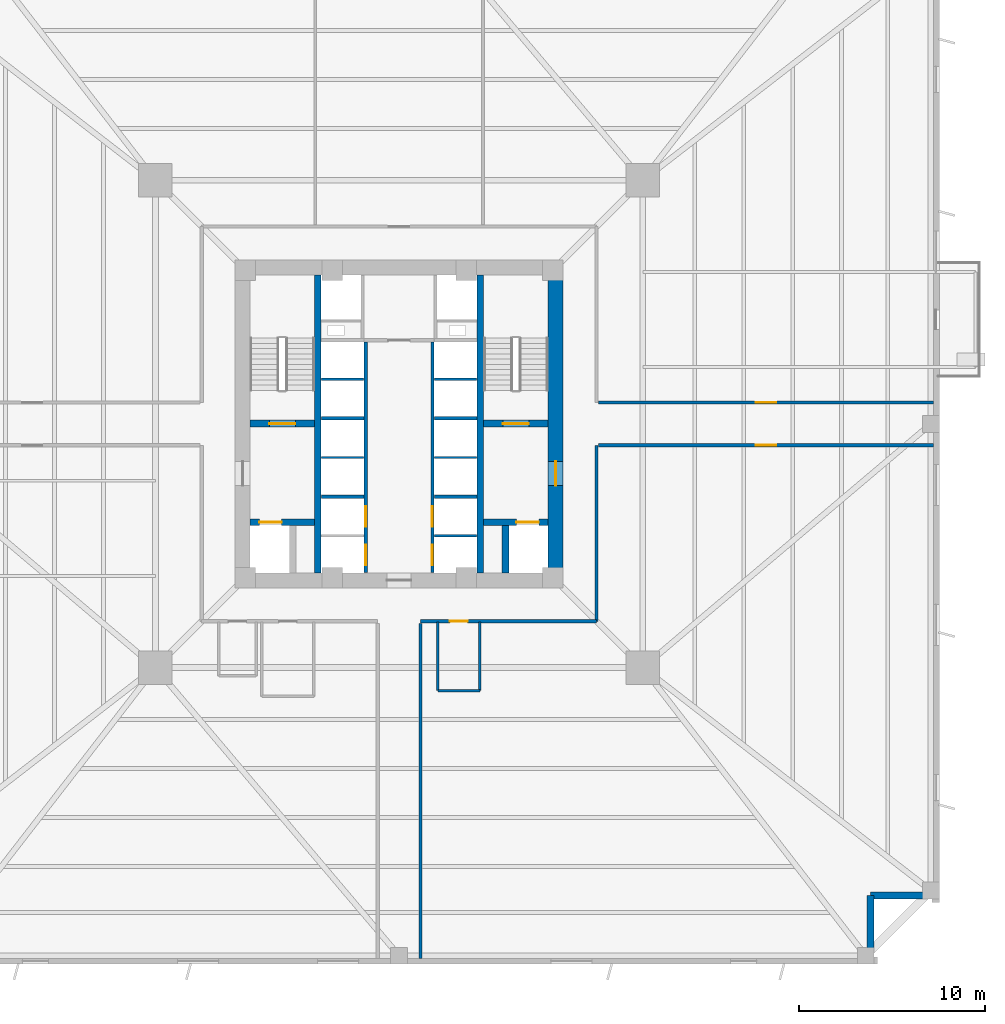
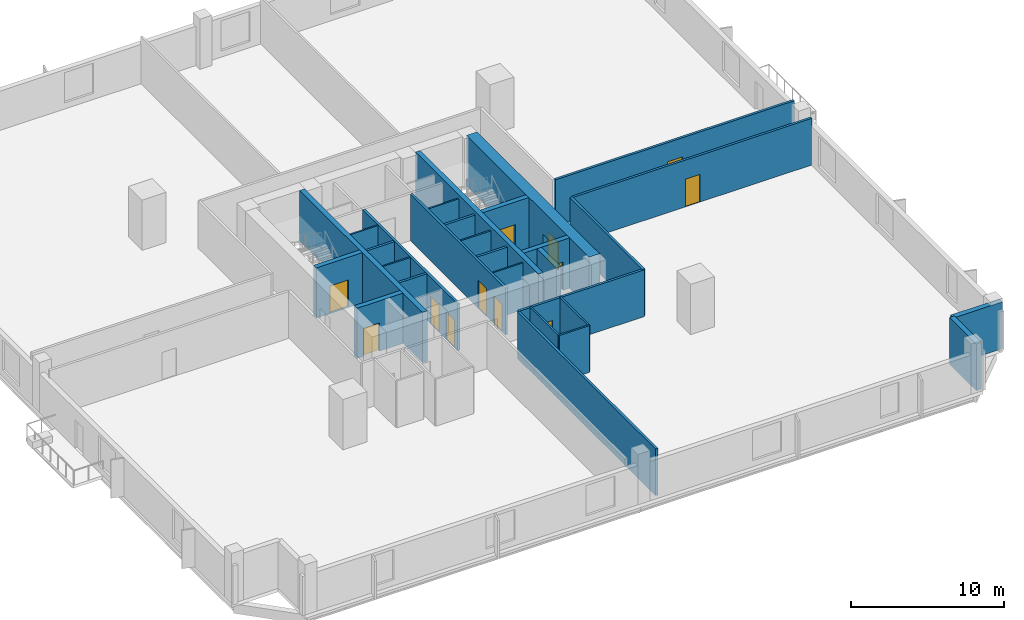
# One storey, part 3 of 8: 29 walls, 12 doors, 12 openings.
"""IFC4 building model written with IfcOpenShell, lengths in metres."""

from ifc_helpers import new_model, si_unit, direction, frame, frame_2d, origin, place, context, subcontext, project, spatial, rectangle, extrude, source, transform, mapped, material, layer, layer_set, type_object, element, fill, save


model = new_model("IFC4")

# Units and contexts
model_context = context("Model", 3, precision=1e-05, world=origin(), true_north=direction((0.0, 1.0)))
body_context = subcontext(model_context, "Body", "Model", "MODEL_VIEW")
ifc_project = project(units=[si_unit("LENGTHUNIT", "METRE"), si_unit("AREAUNIT", "SQUARE_METRE"), si_unit("VOLUMEUNIT", "CUBIC_METRE"), si_unit("PLANEANGLEUNIT", "RADIAN"), si_unit("MASSUNIT", "GRAM", prefix="KILO"), si_unit("THERMODYNAMICTEMPERATUREUNIT", "KELVIN")], contexts=[model_context])

# Site, building, storey
site_placement = place(None, origin())
site = spatial("IfcSite", under=ifc_project, at=site_placement, CompositionType="ELEMENT")
building_placement = place(site_placement, origin())
building = spatial("IfcBuilding", under=site, at=building_placement, Name="Kosmvard Interchange Tower", CompositionType="ELEMENT")
storey_placement = place(building_placement, frame((0.0, 0.0, 34.0)))
storey = spatial("IfcBuildingStorey", under=building, at=storey_placement, Name="L07", CompositionType="ELEMENT", Elevation=34.0)

# Wall, openings, doors
ifc_material_1 = material(Name="Fire-rated gypsum partition system")
ifc_layer_1 = layer(ifc_material_1, 0.179931640625, Name="Fire-rated gypsum partition system")
ifc_layer_set_1 = layer_set([ifc_layer_1], Name="Fire-rated gypsum partition system")
wall_type_1 = type_object("IfcWallType", Name="Corridor & Hotel Compartment Partition 180", PredefinedType="PARTITIONING", material=ifc_layer_set_1)
wall_1_placement = place(storey_placement, frame((-1.7900390625, -7.97998046875, 0.0), z_axis=(0.0, 0.0, 1.0), x_axis=(0.0, 1.0, 0.0)))
wall_1 = element("IfcWall", 1, at=wall_1_placement, inside=storey, type_object=wall_type_1, Name="L07 West Lift Bank Front Wall", PredefinedType="PARTITIONING", context=body_context, shape_type="SweptSolid", body=[
    extrude(rectangle(XDim=12.3798828125, YDim=0.179931640625, at=frame_2d((6.18994140625, 0.0))), origin(), (0.0, 0.0, 1.0), 3.719970703125),
])
opening_1_placement = place(wall_1_placement, frame((0.39990234375, 0.0, 0.0)))
opening_1 = element("IfcOpeningElement", 2, at=opening_1_placement, cuts=wall_1, Name="Opening LD-PL-L1-L07", PredefinedType="OPENING", context=body_context, shape_type="SweptSolid", body=[
    extrude(rectangle(XDim=1.10009765625, YDim=2.199951171875, at=frame_2d((0.550048828125, 1.10009765625))), frame((0.0, 0.10009765625, 0.0), z_axis=(0.0, -1.0, 0.0), x_axis=(1.0, 0.0, 0.0)), (0.0, 0.0, 1.0), 0.199951171875),
])
opening_2_placement = place(wall_1_placement, frame((2.4599609375, 0.0, 0.0)))
opening_2 = element("IfcOpeningElement", 3, at=opening_2_placement, cuts=wall_1, Name="Opening LD-PL-L2-L07", PredefinedType="OPENING", context=body_context, shape_type="SweptSolid", body=[
    extrude(rectangle(XDim=1.10009765625, YDim=2.199951171875, at=frame_2d((0.550048828125, 1.10009765625))), frame((0.0, 0.10009765625, 0.0), z_axis=(0.0, -1.0, 0.0), x_axis=(1.0, 0.0, 0.0)), (0.0, 0.0, 1.0), 0.199951171875),
])
ifc_material_2 = material(Name="Brushed stainless steel sliding leaf", Category="steel")
door_type_1 = type_object("IfcDoorType", Name="Passenger Lift Sliding Landing Door 1100x2200 EI60", OperationType="DOUBLE_DOOR_SLIDING", PredefinedType="DOOR", material=ifc_material_2)
shared_shape_1 = source(origin(), body_context, "Body", "SweptSolid", [
    extrude(rectangle(XDim=1.10009765625, YDim=2.199951171875, at=frame_2d((0.550048828125, 1.10009765625))), frame((0.0, 0.02490234375, 0.0), z_axis=(0.0, -1.0, 0.0), x_axis=(1.0, 0.0, 0.0)), (0.0, 0.0, 1.0), 0.050048828125),
])
door_1_placement = place(opening_1_placement, frame((1.10009765625, 0.0, 0.0), z_axis=(0.0, 0.0, 1.0), x_axis=(-1.0, 0.0, 0.0)))
door_1 = element("IfcDoor", 4, at=door_1_placement, inside=storey, type_object=door_type_1, Name="Lift PL-L1 Landing Door L07", OperationType="DOUBLE_DOOR_SLIDING", OverallHeight=2.199951171875, OverallWidth=1.10009765625, PredefinedType="DOOR", context=body_context, shape_type="MappedRepresentation", body=[
    mapped(shared_shape_1, transform((0.0, 0.0, 0.0), scale=1.0)),
])
fill(opening_1, door_1)
door_2_placement = place(opening_2_placement, frame((1.10009765625, 0.0, 0.0), z_axis=(0.0, 0.0, 1.0), x_axis=(-1.0, 0.0, 0.0)))
door_2 = element("IfcDoor", 5, at=door_2_placement, inside=storey, type_object=door_type_1, Name="Lift PL-L2 Landing Door L07", OperationType="DOUBLE_DOOR_SLIDING", OverallHeight=2.199951171875, OverallWidth=1.10009765625, PredefinedType="DOOR", context=body_context, shape_type="MappedRepresentation", body=[
    mapped(shared_shape_1, transform((0.0, 0.0, 0.0), scale=1.0)),
])
fill(opening_2, door_2)

wall_2_placement = place(storey_placement, frame((1.7900390625, -7.97998046875, 0.0), z_axis=(0.0, 0.0, 1.0), x_axis=(0.0, 1.0, 0.0)))
wall_2 = element("IfcWall", 6, at=wall_2_placement, inside=storey, type_object=wall_type_1, Name="L07 East Lift Bank Front Wall", PredefinedType="PARTITIONING", context=body_context, shape_type="SweptSolid", body=[
    extrude(rectangle(XDim=12.3798828125, YDim=0.179931640625, at=frame_2d((6.18994140625, 0.0))), origin(), (0.0, 0.0, 1.0), 3.719970703125),
])
opening_3_placement = place(wall_2_placement, frame((0.39990234375, 0.0, 0.0)))
opening_3 = element("IfcOpeningElement", 7, at=opening_3_placement, cuts=wall_2, Name="Opening LD-PL-L3-L07", PredefinedType="OPENING", context=body_context, shape_type="SweptSolid", body=[
    extrude(rectangle(XDim=1.10009765625, YDim=2.199951171875, at=frame_2d((0.550048828125, 1.10009765625))), frame((0.0, 0.10009765625, 0.0), z_axis=(0.0, -1.0, 0.0), x_axis=(1.0, 0.0, 0.0)), (0.0, 0.0, 1.0), 0.199951171875),
])
opening_4_placement = place(wall_2_placement, frame((2.4599609375, 0.0, 0.0)))
opening_4 = element("IfcOpeningElement", 8, at=opening_4_placement, cuts=wall_2, Name="Opening LD-PL-L4-L07", PredefinedType="OPENING", context=body_context, shape_type="SweptSolid", body=[
    extrude(rectangle(XDim=1.10009765625, YDim=2.199951171875, at=frame_2d((0.550048828125, 1.10009765625))), frame((0.0, 0.10009765625, 0.0), z_axis=(0.0, -1.0, 0.0), x_axis=(1.0, 0.0, 0.0)), (0.0, 0.0, 1.0), 0.199951171875),
])
door_3_placement = place(opening_3_placement, origin())
door_3 = element("IfcDoor", 9, at=door_3_placement, inside=storey, type_object=door_type_1, Name="Lift PL-L3 Landing Door L07", OperationType="DOUBLE_DOOR_SLIDING", OverallHeight=2.199951171875, OverallWidth=1.10009765625, PredefinedType="DOOR", context=body_context, shape_type="MappedRepresentation", body=[
    mapped(shared_shape_1, transform((0.0, 0.0, 0.0), scale=1.0)),
])
fill(opening_3, door_3)
door_4_placement = place(opening_4_placement, origin())
door_4 = element("IfcDoor", 10, at=door_4_placement, inside=storey, type_object=door_type_1, Name="Lift PL-L4 Landing Door L07", OperationType="DOUBLE_DOOR_SLIDING", OverallHeight=2.199951171875, OverallWidth=1.10009765625, PredefinedType="DOOR", context=body_context, shape_type="MappedRepresentation", body=[
    mapped(shared_shape_1, transform((0.0, 0.0, 0.0), scale=1.0)),
])
fill(opening_4, door_4)

# Wall, opening, door
wall_3_placement = place(storey_placement, frame((1.14990234375, -10.60009765625, 0.0), z_axis=(0.0, 0.0, 1.0), x_axis=(1.0, 0.0, 0.0)))
wall_3 = element("IfcWall", 11, at=wall_3_placement, inside=storey, type_object=wall_type_1, Name="L07 Corridor Wall CSE", PredefinedType="PARTITIONING", context=body_context, shape_type="SweptSolid", body=[
    extrude(rectangle(XDim=9.4501953125, YDim=0.179931640625, at=frame_2d((4.72509765625, 0.0))), origin(), (0.0, 0.0, 1.0), 3.719970703125),
])
opening_5_placement = place(wall_3_placement, frame((1.580078125, 0.0, 0.0)))
opening_5 = element("IfcOpeningElement", 12, at=opening_5_placement, cuts=wall_3, Name="Opening L07-D02", PredefinedType="OPENING", context=body_context, shape_type="SweptSolid", body=[
    extrude(rectangle(XDim=0.949951171875, YDim=2.10009765625, at=frame_2d((0.47509765625, 1.050048828125))), frame((0.0, 0.10009765625, 0.0), z_axis=(0.0, -1.0, 0.0), x_axis=(1.0, 0.0, 0.0)), (0.0, 0.0, 1.0), 0.199951171875),
])
ifc_material_3 = material(Name="Laminated moisture-resistant timber", Category="wood")
door_type_2 = type_object("IfcDoorType", Name="Accessible Washroom Door 950x2100", OperationType="NOTDEFINED", PredefinedType="DOOR", material=ifc_material_3)
shared_shape_2 = source(origin(), body_context, "Body", "SweptSolid", [
    extrude(rectangle(XDim=0.949951171875, YDim=2.10009765625, at=frame_2d((0.47509765625, 1.050048828125))), frame((0.0, 0.02490234375, 0.0), z_axis=(0.0, -1.0, 0.0), x_axis=(1.0, 0.0, 0.0)), (0.0, 0.0, 1.0), 0.050048828125),
])
door_5_placement = place(opening_5_placement, frame((0.949951171875, 0.0, 0.0), z_axis=(0.0, 0.0, 1.0), x_axis=(-1.0, 0.0, 0.0)))
door_5 = element("IfcDoor", 13, at=door_5_placement, inside=storey, type_object=door_type_2, Name="L07 Public Floor Washroom Door", OperationType="SINGLE_SWING_RIGHT", OverallHeight=2.10009765625, OverallWidth=0.949951171875, PredefinedType="DOOR", context=body_context, shape_type="MappedRepresentation", body=[
    mapped(shared_shape_2, transform((0.0, 0.0, 0.0), scale=1.0)),
])
fill(opening_5, door_5)

# Wall
wall_4_placement = place(storey_placement, frame((10.60009765625, -10.60009765625, 0.0), z_axis=(0.0, 0.0, 1.0), x_axis=(0.0, 1.0, 0.0)))
element("IfcWall", 14, at=wall_4_placement, inside=storey, type_object=wall_type_1, Name="L07 Corridor Wall CES", PredefinedType="PARTITIONING", context=body_context, shape_type="SweptSolid", body=[
    extrude(rectangle(XDim=9.4501953125, YDim=0.179931640625, at=frame_2d((4.72509765625, 0.0))), origin(), (0.0, 0.0, 1.0), 3.719970703125),
])

# Wall, opening, door
wall_5_placement = place(storey_placement, frame((10.699951171875, -1.14990234375, 0.0), z_axis=(0.0, 0.0, 1.0), x_axis=(1.0, 0.0, 0.0)))
wall_5 = element("IfcWall", 15, at=wall_5_placement, inside=storey, type_object=wall_type_1, Name="L07 Corridor Wall SES", PredefinedType="PARTITIONING", context=body_context, shape_type="SweptSolid", body=[
    extrude(rectangle(XDim=17.985107421875, YDim=0.179931640625, at=frame_2d((8.99267578125, 0.0))), origin(), (0.0, 0.0, 1.0), 3.719970703125),
])
opening_6_placement = place(wall_5_placement, frame((8.4423828125, 0.0, 0.0)))
opening_6 = element("IfcOpeningElement", 16, at=opening_6_placement, cuts=wall_5, Name="Opening L07-D07", PredefinedType="OPENING", context=body_context, shape_type="SweptSolid", body=[
    extrude(rectangle(XDim=1.10009765625, YDim=2.199951171875, at=frame_2d((0.550048828125, 1.10009765625))), frame((0.0, 0.10009765625, 0.0), z_axis=(0.0, -1.0, 0.0), x_axis=(1.0, 0.0, 0.0)), (0.0, 0.0, 1.0), 0.199951171875),
])
ifc_material_4 = material(Name="Engineered oak fire-rated timber", Category="wood")
door_type_3 = type_object("IfcDoorType", Name="Office Suite Entrance Door 1100x2200 FD30S", OperationType="NOTDEFINED", PredefinedType="DOOR", material=ifc_material_4)
door_6_placement = place(opening_6_placement, frame((1.10009765625, 0.0, 0.0), z_axis=(0.0, 0.0, 1.0), x_axis=(-1.0, 0.0, 0.0)))
door_6 = element("IfcDoor", 17, at=door_6_placement, inside=storey, type_object=door_type_3, Name="L07 South-East Open Trading Workplace Door", OperationType="SINGLE_SWING_LEFT", OverallHeight=2.199951171875, OverallWidth=1.10009765625, PredefinedType="DOOR", context=body_context, shape_type="MappedRepresentation", body=[
    mapped(shared_shape_1, transform((0.0, 0.0, 0.0), scale=1.0)),
])
fill(opening_6, door_6)

wall_6_placement = place(storey_placement, frame((10.699951171875, 1.14990234375, 0.0), z_axis=(0.0, 0.0, 1.0), x_axis=(1.0, 0.0, 0.0)))
wall_6 = element("IfcWall", 18, at=wall_6_placement, inside=storey, type_object=wall_type_1, Name="L07 Corridor Wall SEN", PredefinedType="PARTITIONING", context=body_context, shape_type="SweptSolid", body=[
    extrude(rectangle(XDim=17.985107421875, YDim=0.179931640625, at=frame_2d((8.99267578125, 0.0))), origin(), (0.0, 0.0, 1.0), 3.719970703125),
])
opening_7_placement = place(wall_6_placement, frame((8.4423828125, 0.0, 0.0)))
opening_7 = element("IfcOpeningElement", 19, at=opening_7_placement, cuts=wall_6, Name="Opening L07-D06", PredefinedType="OPENING", context=body_context, shape_type="SweptSolid", body=[
    extrude(rectangle(XDim=1.10009765625, YDim=2.199951171875, at=frame_2d((0.550048828125, 1.10009765625))), frame((0.0, 0.10009765625, 0.0), z_axis=(0.0, -1.0, 0.0), x_axis=(1.0, 0.0, 0.0)), (0.0, 0.0, 1.0), 0.199951171875),
])
door_7_placement = place(opening_7_placement, origin())
door_7 = element("IfcDoor", 20, at=door_7_placement, inside=storey, type_object=door_type_3, Name="L07 North-East Open Plan Workplace Door", OperationType="SINGLE_SWING_RIGHT", OverallHeight=2.199951171875, OverallWidth=1.10009765625, PredefinedType="DOOR", context=body_context, shape_type="MappedRepresentation", body=[
    mapped(shared_shape_1, transform((0.0, 0.0, 0.0), scale=1.0)),
])
fill(opening_7, door_7)

# Wall
wall_7_placement = place(storey_placement, frame((1.14990234375, -28.68505859375, 0.0), z_axis=(0.0, 0.0, 1.0), x_axis=(0.0, 1.0, 0.0)))
element("IfcWall", 21, at=wall_7_placement, inside=storey, type_object=wall_type_1, Name="L07 Corridor Wall SSE", PredefinedType="PARTITIONING", context=body_context, shape_type="SweptSolid", body=[
    extrude(rectangle(XDim=17.985107421875, YDim=0.179931640625, at=frame_2d((8.99267578125, 0.0))), origin(), (0.0, 0.0, 1.0), 3.719970703125),
])

# Wall, opening, door
ifc_material_5 = material(Name="Concrete C80/95", Category="concrete")
ifc_layer_2 = layer(ifc_material_5, 0.800048828125, Name="Concrete C80/95")
ifc_layer_set_2 = layer_set([ifc_layer_2], Name="Concrete C80/95")
wall_type_2 = type_object("IfcWallType", Name="Lower Core Shear Wall 800 C80/95", PredefinedType="SHEAR", material=ifc_layer_set_2)
wall_8_placement = place(storey_placement, frame((8.39990234375, -8.0, 0.0), z_axis=(0.0, 0.0, 1.0), x_axis=(0.0, 1.0, 0.0)))
wall_8 = element("IfcWall", 22, at=wall_8_placement, inside=storey, type_object=wall_type_2, Name="L07 Core Shear Wall CW-E", PredefinedType="SHEAR", context=body_context, shape_type="SweptSolid", body=[
    extrude(rectangle(XDim=16.0, YDim=0.800048828125, at=frame_2d((8.0, 0.0))), origin(), (0.0, 0.0, 1.0), 4.0),
])
opening_8_placement = place(wall_8_placement, frame((4.68994140625, 0.0, 0.0)))
opening_8 = element("IfcOpeningElement", 23, at=opening_8_placement, cuts=wall_8, Name="Opening L07-FD2", PredefinedType="OPENING", context=body_context, shape_type="SweptSolid", body=[
    extrude(rectangle(XDim=1.300048828125, YDim=2.199951171875, at=frame_2d((0.64990234375, 1.10009765625))), frame((0.0, 0.41015625, 0.0), z_axis=(0.0, -1.0, 0.0), x_axis=(1.0, 0.0, 0.0)), (0.0, 0.0, 1.0), 0.820068359375),
])
ifc_material_6 = material(Name="Painted fire-rated steel leaf", Category="steel")
door_type_4 = type_object("IfcDoorType", Name="Firefighting Lobby Door 1300x2200 EI60", OperationType="NOTDEFINED", PredefinedType="DOOR", material=ifc_material_6)
shared_shape_3 = source(origin(), body_context, "Body", "SweptSolid", [
    extrude(rectangle(XDim=1.300048828125, YDim=2.199951171875, at=frame_2d((0.64990234375, 1.10009765625))), frame((0.0, 0.02490234375, 0.0), z_axis=(0.0, -1.0, 0.0), x_axis=(1.0, 0.0, 0.0)), (0.0, 0.0, 1.0), 0.050048828125),
])
door_8_placement = place(opening_8_placement, origin())
door_8 = element("IfcDoor", 24, at=door_8_placement, inside=storey, type_object=door_type_4, Name="L07 Firefighting Lobby East Door", OperationType="SINGLE_SWING_RIGHT", OverallHeight=2.199951171875, OverallWidth=1.300048828125, PredefinedType="DOOR", context=body_context, shape_type="MappedRepresentation", body=[
    mapped(shared_shape_3, transform((0.0, 0.0, 0.0), scale=1.0)),
])
fill(opening_8, door_8)

# Walls
ifc_material_7 = material(Name="Precast concrete C45/55", Category="concrete")
ifc_layer_3 = layer(ifc_material_7, 0.3798828125, Name="Precast concrete C45/55")
ifc_layer_set_3 = layer_set([ifc_layer_3], Name="Precast concrete C45/55")
wall_type_3 = type_object("IfcWallType", Name="Lower Tower Precast Pier Wall 380 C45/55", PredefinedType="STANDARD", material=ifc_layer_set_3)
wall_9_placement = place(storey_placement, frame((25.31005859375, -28.81005859375, 0.0), z_axis=(0.0, 0.0, 1.0), x_axis=(0.0, 1.0, 0.0)))
element("IfcWall", 25, at=wall_9_placement, inside=storey, type_object=wall_type_3, Name="L07 Precast Facade Wall N-SE1", PredefinedType="STANDARD", context=body_context, shape_type="SweptSolid", body=[
    extrude(rectangle(XDim=3.5, YDim=0.3798828125, at=frame_2d((1.75, 0.0))), origin(), (0.0, 0.0, 1.0), 3.719970703125),
])
wall_10_placement = place(storey_placement, frame((25.31005859375, -25.31005859375, 0.0), z_axis=(0.0, 0.0, 1.0), x_axis=(1.0, 0.0, 0.0)))
element("IfcWall", 26, at=wall_10_placement, inside=storey, type_object=wall_type_3, Name="L07 Precast Facade Wall N-SE2", PredefinedType="STANDARD", context=body_context, shape_type="SweptSolid", body=[
    extrude(rectangle(XDim=3.68994140625, YDim=0.3798828125, at=frame_2d((1.844970703125, 0.0))), origin(), (0.0, 0.0, 1.0), 3.719970703125),
])
ifc_material_8 = material(Name="Concrete blockwork masonry", Category="masonry")
ifc_layer_4 = layer(ifc_material_8, 0.179931640625, Name="Concrete blockwork masonry")
ifc_layer_set_4 = layer_set([ifc_layer_4], Name="Concrete blockwork masonry")
wall_type_4 = type_object("IfcWallType", Name="Riser & Lift Bank Divider Wall 180", PredefinedType="PARTITIONING", material=ifc_layer_set_4)
for number, where, z_axis, x_axis, name in (
    (27, (-4.169921875, -3.89990234375, 0.0), (0.0, 0.0, 1.0), (1.0, 0.0, 0.0), "L07 West Bank Divider BD1"),
    (28, (1.889892578125, -3.89990234375, 0.0), (0.0, 0.0, 1.0), (1.0, 0.0, 0.0), "L07 East Bank Divider BD1"),
    (29, (-4.169921875, 0.300048828125, 0.0), (0.0, 0.0, 1.0), (1.0, 0.0, 0.0), "L07 West Bank Divider BD2"),
    (30, (1.889892578125, 0.300048828125, 0.0), (0.0, 0.0, 1.0), (1.0, 0.0, 0.0), "L07 East Bank Divider BD2"),
):
    element("IfcWall", number, at=place(storey_placement, frame(where, z_axis=z_axis, x_axis=x_axis)), inside=storey, type_object=wall_type_4, Name=name, PredefinedType="PARTITIONING", context=body_context, shape_type="SweptSolid", body=[
        extrude(rectangle(XDim=2.280029296875, YDim=0.179931640625, at=frame_2d((1.14013671875, 0.0))), origin(), (0.0, 0.0, 1.0), 3.719970703125),
    ])
ifc_material_9 = material(Name="Fire-rated gypsum shaftwall system")
ifc_layer_5 = layer(ifc_material_9, 0.1201171875, Name="Fire-rated gypsum shaftwall system")
ifc_layer_set_5 = layer_set([ifc_layer_5], Name="Fire-rated gypsum shaftwall system")
wall_type_5 = type_object("IfcWallType", Name="Shaft & Riser Fire Partition 120 EI60", PredefinedType="PARTITIONING", material=ifc_layer_set_5)
for number, where, z_axis, x_axis, name in (
    (31, (1.89990234375, -6.0, 0.0), (0.0, 0.0, 1.0), (1.0, 0.0, 0.0), "L07 Shaft Divider PL-L3"),
    (32, (-4.159912109375, -1.800048828125, 0.0), (0.0, 0.0, 1.0), (1.0, 0.0, 0.0), "L07 Shaft Divider PL-M1"),
    (33, (1.89990234375, -1.800048828125, 0.0), (0.0, 0.0, 1.0), (1.0, 0.0, 0.0), "L07 Shaft Divider PL-M3"),
    (34, (-4.159912109375, 2.39990234375, 0.0), (0.0, 0.0, 1.0), (1.0, 0.0, 0.0), "L07 Shaft Divider PL-H1"),
    (35, (1.89990234375, 2.39990234375, 0.0), (0.0, 0.0, 1.0), (1.0, 0.0, 0.0), "L07 Shaft Divider PL-H3"),
):
    element("IfcWall", number, at=place(storey_placement, frame(where, z_axis=z_axis, x_axis=x_axis)), inside=storey, type_object=wall_type_5, Name=name, PredefinedType="PARTITIONING", context=body_context, shape_type="SweptSolid", body=[
        extrude(rectangle(XDim=2.260009765625, YDim=0.1201171875, at=frame_2d((1.1298828125, 0.0))), origin(), (0.0, 0.0, 1.0), 3.719970703125),
    ])
ifc_material_10 = material(Name="Concrete C60/75", Category="concrete")
ifc_layer_6 = layer(ifc_material_10, 0.360107421875, Name="Concrete C60/75")
ifc_layer_set_6 = layer_set([ifc_layer_6], Name="Concrete C60/75")
wall_type_6 = type_object("IfcWallType", Name="Stair & Lift Shaft Shear Wall 360 C60/75", PredefinedType="SHEAR", material=ifc_layer_set_6)
for number, where, z_axis, x_axis, name in (
    (36, (-4.360107421875, -8.0, 0.0), (0.0, 0.0, 1.0), (0.0, 1.0, 0.0), "L07 Shaft Shear Wall SW-W"),
    (37, (4.360107421875, -8.0, 0.0), (0.0, 0.0, 1.0), (0.0, 1.0, 0.0), "L07 Shaft Shear Wall SW-E"),
):
    element("IfcWall", number, at=place(storey_placement, frame(where, z_axis=z_axis, x_axis=x_axis)), inside=storey, type_object=wall_type_6, Name=name, PredefinedType="SHEAR", context=body_context, shape_type="SweptSolid", body=[
        extrude(rectangle(XDim=16.0, YDim=0.360107421875, at=frame_2d((8.0, 0.0))), origin(), (0.0, 0.0, 1.0), 4.0),
    ])

# Wall, opening, door
wall_11_placement = place(storey_placement, frame((-8.0, 0.02001953125, 0.0), z_axis=(0.0, 0.0, 1.0), x_axis=(1.0, 0.0, 0.0)))
wall_11 = element("IfcWall", 38, at=wall_11_placement, inside=storey, type_object=wall_type_6, Name="L07 Shaft Shear Wall SW-ST1", PredefinedType="SHEAR", context=body_context, shape_type="SweptSolid", body=[
    extrude(rectangle(XDim=3.4599609375, YDim=0.360107421875, at=frame_2d((1.72998046875, 0.0))), origin(), (0.0, 0.0, 1.0), 4.0),
])
opening_9_placement = place(wall_11_placement, frame((1.030029296875, 0.0, 0.0)))
opening_9 = element("IfcOpeningElement", 39, at=opening_9_placement, cuts=wall_11, Name="Opening L07-SD1", PredefinedType="OPENING", context=body_context, shape_type="SweptSolid", body=[
    extrude(rectangle(XDim=1.39990234375, YDim=2.199951171875, at=frame_2d((0.699951171875, 1.10009765625))), frame((0.0, 0.18994140625, 0.0), z_axis=(0.0, -1.0, 0.0), x_axis=(1.0, 0.0, 0.0)), (0.0, 0.0, 1.0), 0.380126953125),
])
door_type_5 = type_object("IfcDoorType", Name="Protected Stair Door 1400x2200 FD60S", OperationType="NOTDEFINED", PredefinedType="DOOR", material=ifc_material_6)
shared_shape_4 = source(origin(), body_context, "Body", "SweptSolid", [
    extrude(rectangle(XDim=1.39990234375, YDim=2.199951171875, at=frame_2d((0.699951171875, 1.10009765625))), frame((0.0, 0.02490234375, 0.0), z_axis=(0.0, -1.0, 0.0), x_axis=(1.0, 0.0, 0.0)), (0.0, 0.0, 1.0), 0.050048828125),
])
door_9_placement = place(opening_9_placement, origin())
door_9 = element("IfcDoor", 40, at=door_9_placement, inside=storey, type_object=door_type_5, Name="L07 Stair ST-1 Enclosure Door", OperationType="SINGLE_SWING_LEFT", OverallHeight=2.199951171875, OverallWidth=1.39990234375, PredefinedType="DOOR", context=body_context, shape_type="MappedRepresentation", body=[
    mapped(shared_shape_4, transform((0.0, 0.0, 0.0), scale=1.0)),
])
fill(opening_9, door_9)

wall_12_placement = place(storey_placement, frame((4.5400390625, 0.02001953125, 0.0), z_axis=(0.0, 0.0, 1.0), x_axis=(1.0, 0.0, 0.0)))
wall_12 = element("IfcWall", 41, at=wall_12_placement, inside=storey, type_object=wall_type_6, Name="L07 Shaft Shear Wall SW-ST2", PredefinedType="SHEAR", context=body_context, shape_type="SweptSolid", body=[
    extrude(rectangle(XDim=3.4599609375, YDim=0.360107421875, at=frame_2d((1.72998046875, 0.0))), origin(), (0.0, 0.0, 1.0), 4.0),
])
opening_10_placement = place(wall_12_placement, frame((1.030029296875, 0.0, 0.0)))
opening_10 = element("IfcOpeningElement", 42, at=opening_10_placement, cuts=wall_12, Name="Opening L07-SD2", PredefinedType="OPENING", context=body_context, shape_type="SweptSolid", body=[
    extrude(rectangle(XDim=1.39990234375, YDim=2.199951171875, at=frame_2d((0.699951171875, 1.10009765625))), frame((0.0, 0.18994140625, 0.0), z_axis=(0.0, -1.0, 0.0), x_axis=(1.0, 0.0, 0.0)), (0.0, 0.0, 1.0), 0.380126953125),
])
door_10_placement = place(opening_10_placement, origin())
door_10 = element("IfcDoor", 43, at=door_10_placement, inside=storey, type_object=door_type_5, Name="L07 Stair ST-2 Enclosure Door", OperationType="SINGLE_SWING_RIGHT", OverallHeight=2.199951171875, OverallWidth=1.39990234375, PredefinedType="DOOR", context=body_context, shape_type="MappedRepresentation", body=[
    mapped(shared_shape_4, transform((0.0, 0.0, 0.0), scale=1.0)),
])
fill(opening_10, door_10)

wall_13_placement = place(storey_placement, frame((-8.0, -5.280029296875, 0.0), z_axis=(0.0, 0.0, 1.0), x_axis=(1.0, 0.0, 0.0)))
wall_13 = element("IfcWall", 44, at=wall_13_placement, inside=storey, type_object=wall_type_6, Name="L07 Shaft Shear Wall SW-FF1", PredefinedType="SHEAR", context=body_context, shape_type="SweptSolid", body=[
    extrude(rectangle(XDim=3.4599609375, YDim=0.360107421875, at=frame_2d((1.72998046875, 0.0))), origin(), (0.0, 0.0, 1.0), 4.0),
])
opening_11_placement = place(wall_13_placement, frame((0.5, 0.0, 0.0)))
opening_11 = element("IfcOpeningElement", 45, at=opening_11_placement, cuts=wall_13, Name="Opening LD-FF-1-L07", PredefinedType="OPENING", context=body_context, shape_type="SweptSolid", body=[
    extrude(rectangle(XDim=1.199951171875, YDim=2.25, at=frame_2d((0.60009765625, 1.125))), frame((0.0, 0.18994140625, 0.0), z_axis=(0.0, -1.0, 0.0), x_axis=(1.0, 0.0, 0.0)), (0.0, 0.0, 1.0), 0.380126953125),
])
door_type_6 = type_object("IfcDoorType", Name="Firefighting Lift Sliding Landing Door 1200x2250 EI120", OperationType="DOUBLE_DOOR_SLIDING", PredefinedType="DOOR", material=ifc_material_2)
shared_shape_5 = source(origin(), body_context, "Body", "SweptSolid", [
    extrude(rectangle(XDim=1.199951171875, YDim=2.25, at=frame_2d((0.60009765625, 1.125))), frame((0.0, 0.02490234375, 0.0), z_axis=(0.0, -1.0, 0.0), x_axis=(1.0, 0.0, 0.0)), (0.0, 0.0, 1.0), 0.050048828125),
])
door_11_placement = place(opening_11_placement, origin())
door_11 = element("IfcDoor", 46, at=door_11_placement, inside=storey, type_object=door_type_6, Name="Lift FF-1 Landing Door L07", OperationType="DOUBLE_DOOR_SLIDING", OverallHeight=2.25, OverallWidth=1.199951171875, PredefinedType="DOOR", context=body_context, shape_type="MappedRepresentation", body=[
    mapped(shared_shape_5, transform((0.0, 0.0, 0.0), scale=1.0)),
])
fill(opening_11, door_11)

wall_14_placement = place(storey_placement, frame((4.5400390625, -5.280029296875, 0.0), z_axis=(0.0, 0.0, 1.0), x_axis=(1.0, 0.0, 0.0)))
wall_14 = element("IfcWall", 47, at=wall_14_placement, inside=storey, type_object=wall_type_6, Name="L07 Shaft Shear Wall SW-FF2", PredefinedType="SHEAR", context=body_context, shape_type="SweptSolid", body=[
    extrude(rectangle(XDim=3.4599609375, YDim=0.360107421875, at=frame_2d((1.72998046875, 0.0))), origin(), (0.0, 0.0, 1.0), 4.0),
])
opening_12_placement = place(wall_14_placement, frame((1.760009765625, 0.0, 0.0)))
opening_12 = element("IfcOpeningElement", 48, at=opening_12_placement, cuts=wall_14, Name="Opening LD-FF-2-L07", PredefinedType="OPENING", context=body_context, shape_type="SweptSolid", body=[
    extrude(rectangle(XDim=1.199951171875, YDim=2.25, at=frame_2d((0.60009765625, 1.125))), frame((0.0, 0.18994140625, 0.0), z_axis=(0.0, -1.0, 0.0), x_axis=(1.0, 0.0, 0.0)), (0.0, 0.0, 1.0), 0.380126953125),
])
door_12_placement = place(opening_12_placement, origin())
door_12 = element("IfcDoor", 49, at=door_12_placement, inside=storey, type_object=door_type_6, Name="Lift FF-2 Landing Door L07", OperationType="DOUBLE_DOOR_SLIDING", OverallHeight=2.25, OverallWidth=1.199951171875, PredefinedType="DOOR", context=body_context, shape_type="MappedRepresentation", body=[
    mapped(shared_shape_5, transform((0.0, 0.0, 0.0), scale=1.0)),
])
fill(opening_12, door_12)

# Walls
wall_15_placement = place(storey_placement, frame((5.7099609375, -8.0, 0.0), z_axis=(0.0, 0.0, 1.0), x_axis=(0.0, 1.0, 0.0)))
element("IfcWall", 50, at=wall_15_placement, inside=storey, type_object=wall_type_6, Name="L07 Shaft Shear Wall SW-SM2", PredefinedType="SHEAR", context=body_context, shape_type="SweptSolid", body=[
    extrude(rectangle(XDim=2.5400390625, YDim=0.360107421875, at=frame_2d((1.27001953125, 0.0))), origin(), (0.0, 0.0, 1.0), 4.0),
])
ifc_material_11 = material(Name="Moisture-resistant gypsum partition")
ifc_layer_7 = layer(ifc_material_11, 0.135009765625, Name="Moisture-resistant gypsum partition")
ifc_layer_set_7 = layer_set([ifc_layer_7], Name="Moisture-resistant gypsum partition")
wall_type_7 = type_object("IfcWallType", Name="Wet Room Moisture-Resistant Partition 135", PredefinedType="PARTITIONING", material=ifc_layer_set_7)
wall_16_placement = place(storey_placement, frame((2.080078125, -14.320068359375, 0.0), z_axis=(0.0, 0.0, 1.0), x_axis=(1.0, 0.0, 0.0)))
element("IfcWall", 51, at=wall_16_placement, inside=storey, type_object=wall_type_7, Name="L07 Washroom Partition WC1-S", PredefinedType="PARTITIONING", context=body_context, shape_type="SweptSolid", body=[
    extrude(rectangle(XDim=2.25, YDim=0.135009765625, at=frame_2d((1.125, 0.0))), origin(), (0.0, 0.0, 1.0), 3.719970703125),
])
for number, where, z_axis, x_axis, name in (
    (52, (4.330078125, -14.320068359375, 0.0), (0.0, 0.0, 1.0), (0.0, 1.0, 0.0), "L07 Washroom Partition WC1-E"),
    (53, (2.080078125, -14.320068359375, 0.0), (0.0, 0.0, 1.0), (0.0, 1.0, 0.0), "L07 Washroom Partition WC1-W"),
):
    element("IfcWall", number, at=place(storey_placement, frame(where, z_axis=z_axis, x_axis=x_axis)), inside=storey, type_object=wall_type_7, Name=name, PredefinedType="PARTITIONING", context=body_context, shape_type="SweptSolid", body=[
        extrude(rectangle(XDim=3.699951171875, YDim=0.135009765625, at=frame_2d((1.85009765625, 0.0))), origin(), (0.0, 0.0, 1.0), 3.719970703125),
    ])

save(model, "model.ifc")
